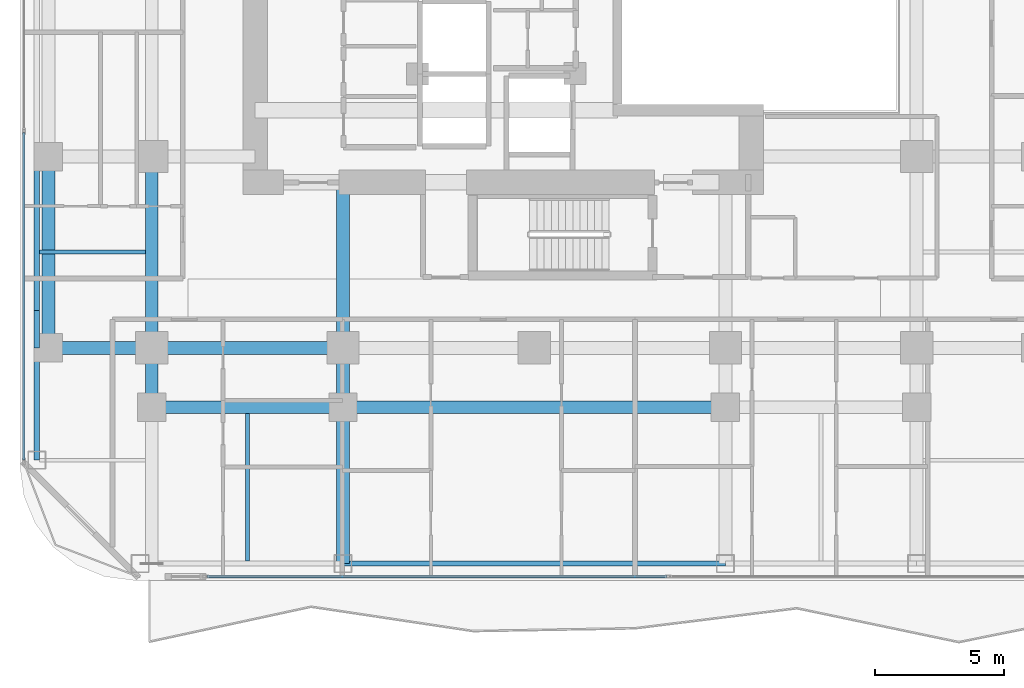
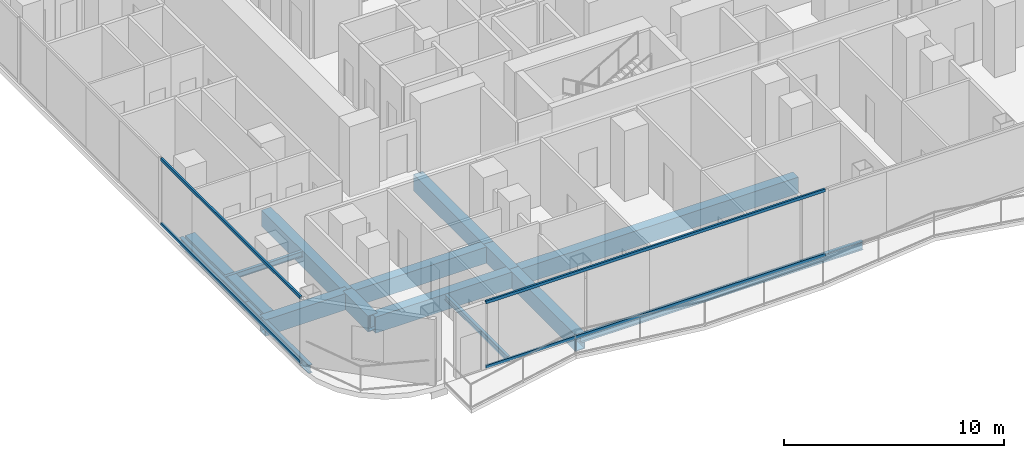
# One storey, part 3 of 29: 16 beams, 4 members, 2 elements without a shape of their own.
"""IFC4 building model written with IfcOpenShell, lengths in metres."""

from ifc_helpers import new_model, si_unit, direction, frame, origin, origin_2d, place, context, subcontext, project, spatial, hollow_rectangle, i_section, extrude, material, layer, layer_set, material_profile, profile_set, type_object, element, aggregate, save


model = new_model("IFC4")

# Units and contexts
model_context = context("Model", 3, precision=1e-05, world=origin(), true_north=direction((0.0, 1.0)))
body_context = subcontext(model_context, "Body", "Model", "MODEL_VIEW")
ifc_project = project(units=[si_unit("LENGTHUNIT", "METRE"), si_unit("AREAUNIT", "SQUARE_METRE"), si_unit("VOLUMEUNIT", "CUBIC_METRE"), si_unit("PLANEANGLEUNIT", "RADIAN"), si_unit("MASSUNIT", "GRAM", prefix="KILO")], contexts=[model_context])

# Site, building, storey
site_placement = place(None, origin())
site = spatial("IfcSite", under=ifc_project, at=site_placement, CompositionType="ELEMENT")
building_placement = place(site_placement, origin())
building = spatial("IfcBuilding", under=site, at=building_placement, Name="Khorvyn Point Tower", CompositionType="ELEMENT")
storey_placement = place(building_placement, frame((0.0, 0.0, 136.800048828125)))
storey = spatial("IfcBuildingStorey", under=building, at=storey_placement, Name="L34", CompositionType="ELEMENT", Elevation=136.800048828125)

# Curtain wall, members
ifc_material_1 = material(Name="Anodised aluminium 6063-T6 and laminated Low-E glass", Category="aluminium")
ifc_layer = layer(ifc_material_1, 0.18994140625)
ifc_layer_set = layer_set([ifc_layer], Name="Stick-Built Acoustic Curtain Wall CW-SYS-03")
curtain_wall_type = type_object("IfcCurtainWallType", Name="Stick-Built Acoustic Curtain Wall CW-SYS-03", PredefinedType="NOTDEFINED", material=ifc_layer_set)
curtain_wall_1_placement = place(storey_placement, origin())
curtain_wall_1 = element("IfcCurtainWall", 1, at=curtain_wall_1_placement, inside=storey, type_object=curtain_wall_type, Name="Curtain Wall", PredefinedType="NOTDEFINED")
ifc_material_2 = material(Name="Anodised aluminium 6063-T6", Category="aluminium")
ifc_material_profile_1 = material_profile(ifc_material_2, hollow_rectangle(XDim=0.10009765625, YDim=0.159912109375, WallThickness=0.00439453125, at=origin_2d()))
ifc_profile_set_1 = profile_set([ifc_material_profile_1], Name="Anodised aluminium 6063-T6 ALU-TRN-100x160")
member_type = type_object("IfcMemberType", Name="Anodised Aluminium 6063-T6 Transom ALU-TRN-100x160", PredefinedType="USERDEFINED", material=ifc_profile_set_1)
member_1_placement = place(storey_placement, frame((5.140380859375, -23.64990234375, 0.050048828125), z_axis=(-1.0, 0.0, 0.0), x_axis=(0.0, -1.0, 0.0)))
member_1 = element("IfcMember", 2, at=member_1_placement, type_object=member_type, Name="Transom", ObjectType="TRANSOM", PredefinedType="USERDEFINED", context=body_context, shape_type="SweptSolid", body=[
    extrude(hollow_rectangle(XDim=0.10009765625, YDim=0.159912109375, WallThickness=0.00439453125, at=origin_2d()), origin(), (0.0, 0.0, 1.0), 17.809326171875),
])
member_2_placement = place(storey_placement, frame((5.140380859375, -23.64990234375, 3.6298828125), z_axis=(-1.0, 0.0, 0.0), x_axis=(0.0, -1.0, 0.0)))
member_2 = element("IfcMember", 3, at=member_2_placement, type_object=member_type, Name="Transom", ObjectType="TRANSOM", PredefinedType="USERDEFINED", context=body_context, shape_type="SweptSolid", body=[
    extrude(hollow_rectangle(XDim=0.10009765625, YDim=0.159912109375, WallThickness=0.00439453125, at=origin_2d()), origin(), (0.0, 0.0, 1.0), 17.809326171875),
])
aggregate(curtain_wall_1, [member_1, member_2])

curtain_wall_2_placement = place(storey_placement, origin())
curtain_wall_2 = element("IfcCurtainWall", 4, at=curtain_wall_2_placement, inside=storey, type_object=curtain_wall_type, Name="Curtain Wall", PredefinedType="NOTDEFINED")
member_3_placement = place(storey_placement, frame((-19.75, -19.14990234375, 0.050048828125), z_axis=(0.0, 1.0, 0.0), x_axis=(-1.0, 0.0, 0.0)))
member_3 = element("IfcMember", 5, at=member_3_placement, type_object=member_type, Name="Transom", ObjectType="TRANSOM", PredefinedType="USERDEFINED", context=body_context, shape_type="SweptSolid", body=[
    extrude(hollow_rectangle(XDim=0.10009765625, YDim=0.159912109375, WallThickness=0.00439453125, at=origin_2d()), origin(), (0.0, 0.0, 1.0), 12.683349609375),
])
member_4_placement = place(storey_placement, frame((-19.75, -19.14990234375, 3.6298828125), z_axis=(0.0, 1.0, 0.0), x_axis=(-1.0, 0.0, 0.0)))
member_4 = element("IfcMember", 6, at=member_4_placement, type_object=member_type, Name="Transom", ObjectType="TRANSOM", PredefinedType="USERDEFINED", context=body_context, shape_type="SweptSolid", body=[
    extrude(hollow_rectangle(XDim=0.10009765625, YDim=0.159912109375, WallThickness=0.00439453125, at=origin_2d()), origin(), (0.0, 0.0, 1.0), 12.683349609375),
])
aggregate(curtain_wall_2, [member_3, member_4])

# Beams
ifc_material_3 = material(Name="Steel S355", Category="steel")
ifc_material_profile_2 = material_profile(ifc_material_3, i_section(OverallWidth=0.14990234375, OverallDepth=0.300048828125, WebThickness=0.006591796875, FlangeThickness=0.009033203125, at=origin_2d()))
ifc_profile_set_2 = profile_set([ifc_material_profile_2], Name="Steel S355 H300x150x6.5x9")
beam_type_1 = type_object("IfcBeamType", Name="Steel S355 Joist H300x150x6.5x9", PredefinedType="JOIST", material=ifc_profile_set_2)
beam_1_placement = place(storey_placement, frame((-19.14990234375, -11.10009765625, -0.429931640625), z_axis=(1.0, 0.0, 0.0), x_axis=(0.0, 1.0, 0.0)))
element("IfcBeam", 7, at=beam_1_placement, inside=storey, type_object=beam_type_1, Name="Beam", PredefinedType="JOIST", context=body_context, shape_type="SweptSolid", body=[
    extrude(i_section(OverallWidth=0.14990234375, OverallDepth=0.300048828125, WebThickness=0.006591796875, FlangeThickness=0.009033203125, at=origin_2d()), origin(), (0.0, 0.0, 1.0), 4.099853515625),
])
beam_2_placement = place(storey_placement, frame((-11.10009765625, -23.050048828125, -0.429931640625), z_axis=(0.0, 1.0, 0.0), x_axis=(-1.0, 0.0, 0.0)))
element("IfcBeam", 8, at=beam_2_placement, inside=storey, type_object=beam_type_1, Name="Beam", PredefinedType="JOIST", context=body_context, shape_type="SweptSolid", body=[
    extrude(i_section(OverallWidth=0.14990234375, OverallDepth=0.300048828125, WebThickness=0.006591796875, FlangeThickness=0.009033203125, at=origin_2d()), origin(), (0.0, 0.0, 1.0), 5.699951171875),
])
ifc_material_profile_3 = material_profile(ifc_material_3, i_section(OverallWidth=0.199951171875, OverallDepth=0.449951171875, WebThickness=0.009033203125, FlangeThickness=0.013916015625, at=origin_2d()))
ifc_profile_set_3 = profile_set([ifc_material_profile_3], Name="Steel S355 H450x200x9x14")
beam_type_2 = type_object("IfcBeamType", Name="Steel S355 Spandrel H450x200x9x14", PredefinedType="SPANDREL", material=ifc_profile_set_3)
beam_3_placement = place(storey_placement, frame((-7.39990234375, -23.14990234375, -0.505126953125), z_axis=(1.0, 0.0, 0.0), x_axis=(0.0, 1.0, 0.0)))
element("IfcBeam", 9, at=beam_3_placement, inside=storey, type_object=beam_type_2, Name="Beam", PredefinedType="SPANDREL", context=body_context, shape_type="SweptSolid", body=[
    extrude(i_section(OverallWidth=0.199951171875, OverallDepth=0.449951171875, WebThickness=0.009033203125, FlangeThickness=0.013916015625, at=origin_2d()), origin(), (0.0, 0.0, 1.0), 14.7998046875),
])
beam_4_placement = place(storey_placement, frame((-19.25, -19.14990234375, -0.505126953125), z_axis=(0.0, 1.0, 0.0), x_axis=(-1.0, 0.0, 0.0)))
element("IfcBeam", 10, at=beam_4_placement, inside=storey, type_object=beam_type_2, Name="Beam", PredefinedType="SPANDREL", context=body_context, shape_type="SweptSolid", body=[
    extrude(i_section(OverallWidth=0.199951171875, OverallDepth=0.449951171875, WebThickness=0.009033203125, FlangeThickness=0.013916015625, at=origin_2d()), origin(), (0.0, 0.0, 1.0), 4.349853515625),
])
beam_5_placement = place(storey_placement, frame((-19.25, -14.800048828125, -0.505126953125), z_axis=(0.0, 1.0, 0.0), x_axis=(-1.0, 0.0, 0.0)))
element("IfcBeam", 11, at=beam_5_placement, inside=storey, type_object=beam_type_2, Name="Beam", PredefinedType="SPANDREL", context=body_context, shape_type="SweptSolid", body=[
    extrude(i_section(OverallWidth=0.199951171875, OverallDepth=0.449951171875, WebThickness=0.009033203125, FlangeThickness=0.013916015625, at=origin_2d()), origin(), (0.0, 0.0, 1.0), 1.449951171875),
])
beam_6_placement = place(storey_placement, frame((-19.25, -13.35009765625, -0.505126953125), z_axis=(0.0, 1.0, 0.0), x_axis=(-1.0, 0.0, 0.0)))
element("IfcBeam", 12, at=beam_6_placement, inside=storey, type_object=beam_type_2, Name="Beam", PredefinedType="SPANDREL", context=body_context, shape_type="SweptSolid", body=[
    extrude(i_section(OverallWidth=0.199951171875, OverallDepth=0.449951171875, WebThickness=0.009033203125, FlangeThickness=0.013916015625, at=origin_2d()), origin(), (0.0, 0.0, 1.0), 5.9501953125),
])
ifc_material_4 = material(Name="Steel S450", Category="steel")
ifc_material_profile_4 = material_profile(ifc_material_4, hollow_rectangle(XDim=0.5, YDim=0.89990234375, WallThickness=0.0400390625, at=origin_2d()))
ifc_profile_set_4 = profile_set([ifc_material_profile_4], Name="Steel S450 BOX900x500x40")
beam_type_3 = type_object("IfcBeamType", Name="Steel S450 Beam BOX900x500x40", PredefinedType="BEAM", material=ifc_profile_set_4)
beam_7_placement = place(storey_placement, frame((-19.25, -14.800048828125, -0.72998046875), z_axis=(1.0, 0.0, 0.0), x_axis=(0.0, 1.0, 0.0)))
element("IfcBeam", 13, at=beam_7_placement, inside=storey, type_object=beam_type_3, Name="L34 Radial Transfer Girder", PredefinedType="BEAM", context=body_context, shape_type="SweptSolid", body=[
    extrude(hollow_rectangle(XDim=0.5, YDim=0.89990234375, WallThickness=0.0400390625, at=origin_2d()), origin(), (0.0, 0.0, 1.0), 4.449951171875),
])
for number, where, z_axis, x_axis, name in (
    (14, (-14.800048828125, -14.800048828125, -0.72998046875), (1.0, 0.0, 0.0), (0.0, 1.0, 0.0), "L34 Radial Transfer Girder"),
    (15, (-14.800048828125, -17.10009765625, -0.72998046875), (1.0, 0.0, 0.0), (0.0, 1.0, 0.0), "Beam"),
):
    element("IfcBeam", number, at=place(storey_placement, frame(where, z_axis=z_axis, x_axis=x_axis)), inside=storey, type_object=beam_type_3, Name=name, PredefinedType="BEAM", context=body_context, shape_type="SweptSolid", body=[
        extrude(hollow_rectangle(XDim=0.5, YDim=0.89990234375, WallThickness=0.0400390625, at=origin_2d()), origin(), (0.0, 0.0, 1.0), 7.400146484375),
    ])
beam_8_placement = place(storey_placement, frame((-7.39990234375, -17.10009765625, -0.72998046875), z_axis=(1.0, 0.0, 0.0), x_axis=(0.0, 1.0, 0.0)))
element("IfcBeam", 16, at=beam_8_placement, inside=storey, type_object=beam_type_3, Name="Beam", PredefinedType="BEAM", context=body_context, shape_type="SweptSolid", body=[
    extrude(hollow_rectangle(XDim=0.5, YDim=0.89990234375, WallThickness=0.0400390625, at=origin_2d()), origin(), (0.0, 0.0, 1.0), 14.7998046875),
])
beam_9_placement = place(storey_placement, frame((-14.800048828125, -17.10009765625, -0.72998046875), z_axis=(0.0, 1.0, 0.0), x_axis=(-1.0, 0.0, 0.0)))
element("IfcBeam", 17, at=beam_9_placement, inside=storey, type_object=beam_type_3, Name="L34 Radial Transfer Girder", PredefinedType="BEAM", context=body_context, shape_type="SweptSolid", body=[
    extrude(hollow_rectangle(XDim=0.5, YDim=0.89990234375, WallThickness=0.0400390625, at=origin_2d()), origin(), (0.0, 0.0, 1.0), 2.300048828125),
])
beam_10_placement = place(storey_placement, frame((-14.800048828125, -14.800048828125, -0.72998046875), z_axis=(0.0, 1.0, 0.0), x_axis=(-1.0, 0.0, 0.0)))
element("IfcBeam", 18, at=beam_10_placement, inside=storey, type_object=beam_type_3, Name="L34 Radial Transfer Girder", PredefinedType="BEAM", context=body_context, shape_type="SweptSolid", body=[
    extrude(hollow_rectangle(XDim=0.5, YDim=0.89990234375, WallThickness=0.0400390625, at=origin_2d()), origin(), (0.0, 0.0, 1.0), 7.400146484375),
])
beam_11_placement = place(storey_placement, frame((-7.39990234375, -23.14990234375, -0.72998046875), z_axis=(0.0, 1.0, 0.0), x_axis=(-1.0, 0.0, 0.0)))
element("IfcBeam", 19, at=beam_11_placement, inside=storey, type_object=beam_type_3, Name="Beam", PredefinedType="BEAM", context=body_context, shape_type="SweptSolid", body=[
    extrude(hollow_rectangle(XDim=0.5, YDim=0.89990234375, WallThickness=0.0400390625, at=origin_2d()), origin(), (0.0, 0.0, 1.0), 6.0498046875),
])
beam_12_placement = place(storey_placement, frame((-7.39990234375, -17.10009765625, -0.72998046875), z_axis=(0.0, 1.0, 0.0), x_axis=(-1.0, 0.0, 0.0)))
element("IfcBeam", 20, at=beam_12_placement, inside=storey, type_object=beam_type_3, Name="Beam", PredefinedType="BEAM", context=body_context, shape_type="SweptSolid", body=[
    extrude(hollow_rectangle(XDim=0.5, YDim=0.89990234375, WallThickness=0.0400390625, at=origin_2d()), origin(), (0.0, 0.0, 1.0), 2.300048828125),
])
beam_13_placement = place(storey_placement, frame((-7.39990234375, -14.800048828125, -0.72998046875), z_axis=(0.0, 1.0, 0.0), x_axis=(-1.0, 0.0, 0.0)))
element("IfcBeam", 21, at=beam_13_placement, inside=storey, type_object=beam_type_3, Name="Beam", PredefinedType="BEAM", context=body_context, shape_type="SweptSolid", body=[
    extrude(hollow_rectangle(XDim=0.5, YDim=0.89990234375, WallThickness=0.0400390625, at=origin_2d()), origin(), (0.0, 0.0, 1.0), 6.400146484375),
])
beam_14_placement = place(storey_placement, frame((-18.800048828125, -14.800048828125, -0.72998046875), z_axis=(0.0, 1.0, 0.0), x_axis=(-1.0, 0.0, 0.0)))
element("IfcBeam", 22, at=beam_14_placement, inside=storey, type_object=beam_type_3, Name="Beam", PredefinedType="BEAM", context=body_context, shape_type="SweptSolid", body=[
    extrude(hollow_rectangle(XDim=0.5, YDim=0.89990234375, WallThickness=0.0400390625, at=origin_2d()), origin(), (0.0, 0.0, 1.0), 7.400146484375),
])

save(model, "model.ifc")
